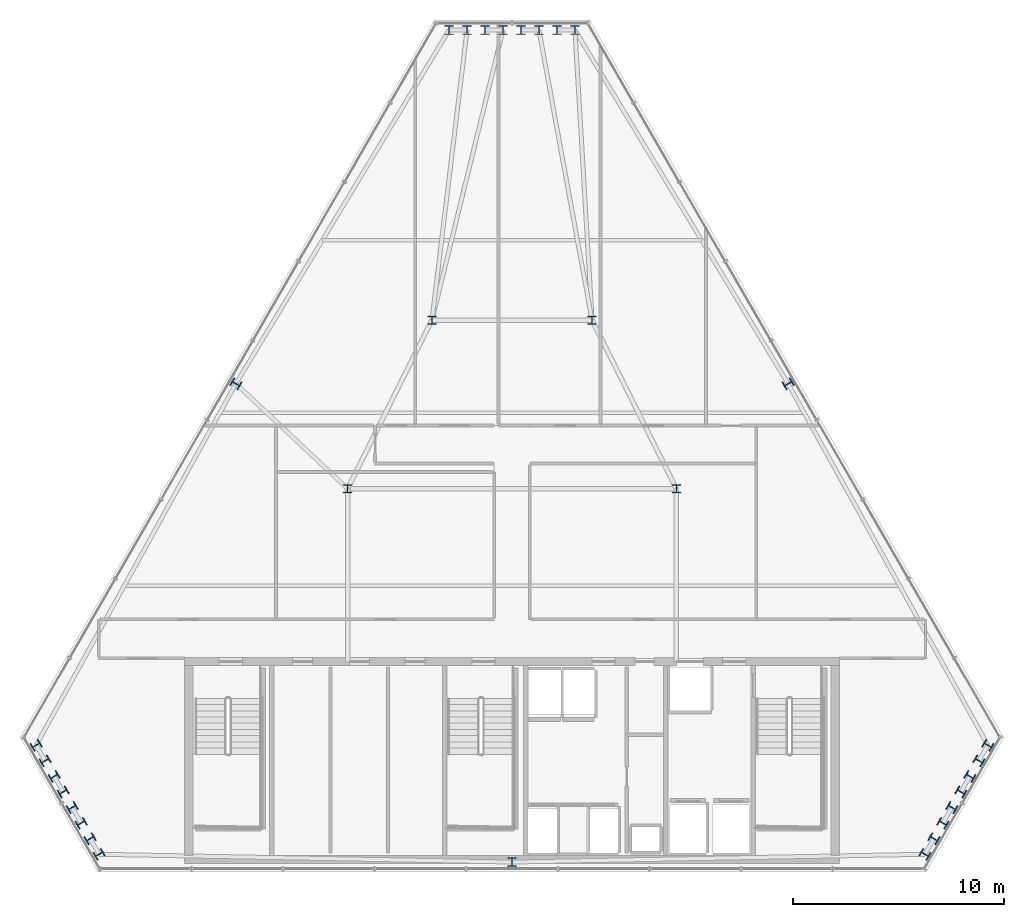
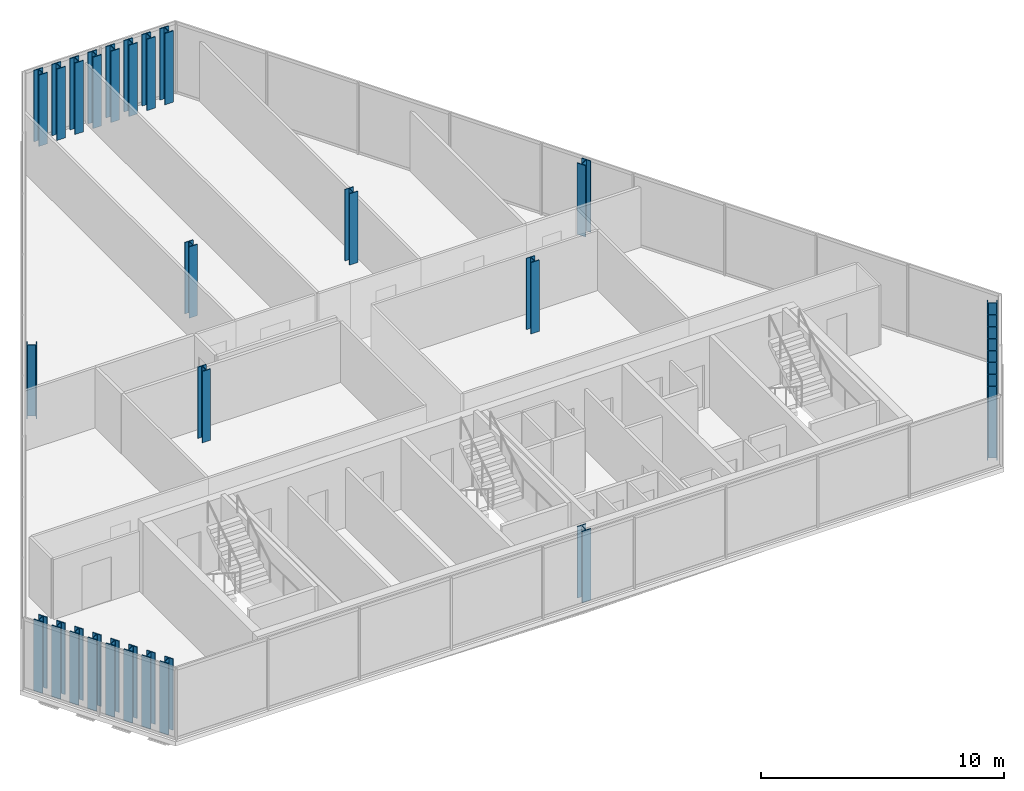
# One storey, part 1 of 29: 31 columns.
"""IFC4 building model written with IfcOpenShell, lengths in metres."""

from ifc_helpers import new_model, si_unit, direction, frame, origin, origin_2d, place, context, subcontext, project, spatial, i_section, extrude, material, material_profile, profile_set, type_object, element, save


model = new_model("IFC4")

# Units and contexts
model_context = context("Model", 3, precision=1e-05, world=origin(), true_north=direction((0.0, 1.0)))
body_context = subcontext(model_context, "Body", "Model", "MODEL_VIEW")
ifc_project = project(units=[si_unit("LENGTHUNIT", "METRE"), si_unit("AREAUNIT", "SQUARE_METRE"), si_unit("VOLUMEUNIT", "CUBIC_METRE"), si_unit("PLANEANGLEUNIT", "RADIAN"), si_unit("MASSUNIT", "GRAM", prefix="KILO")], contexts=[model_context])

# Site, building, storey
site_placement = place(None, origin())
site = spatial("IfcSite", under=ifc_project, at=site_placement, CompositionType="ELEMENT")
building_placement = place(site_placement, origin())
building = spatial("IfcBuilding", under=site, at=building_placement, Name="Ndaravel Arena Tower", CompositionType="ELEMENT")
storey_placement = place(building_placement, frame((0.0, 0.0, 233.199951171875)))
storey = spatial("IfcBuildingStorey", under=building, at=storey_placement, Name="L56", CompositionType="ELEMENT", Elevation=233.199951171875)

# Columns
ifc_material_1 = material(Name="Steel S355", Category="steel")
ifc_material_profile_1 = material_profile(ifc_material_1, i_section(OverallWidth=0.39892578125, OverallDepth=0.3935546875, WebThickness=0.022705078125, FlangeThickness=0.03662109375, FilletRadius=0.01513671875, at=origin_2d()), Name="UC 356x406x287")
ifc_profile_set_1 = profile_set([ifc_material_profile_1], Name="Steel S355")
column_type_1 = type_object("IfcColumnType", Name="COL-INT-UC287", PredefinedType="COLUMN", material=ifc_profile_set_1)
for number, where, z_axis, x_axis, name in (
    (1, (34.199951171875, 23.199951171875, 0.0), (0.0, 0.0, 1.0), (1.0, 0.0, 0.0), "L56 Interior Spine Column IC-01"),
    (2, (49.800048828125, 23.199951171875, 0.0), (0.0, 0.0, 1.0), (1.0, 0.0, 0.0), "L56 Interior Spine Column IC-02"),
    (3, (38.199951171875, 31.199951171875, 0.0), (0.0, 0.0, 1.0), (1.0, 0.0, 0.0), "L56 Interior Spine Column IC-03"),
    (4, (45.800048828125, 31.199951171875, 0.0), (0.0, 0.0, 1.0), (1.0, 0.0, 0.0), "L56 Interior Spine Column IC-04"),
):
    element("IfcColumn", number, at=place(storey_placement, frame(where, z_axis=z_axis, x_axis=x_axis)), inside=storey, type_object=column_type_1, Name=name, PredefinedType="COLUMN", context=body_context, shape_type="SweptSolid", body=[
        extrude(i_section(OverallWidth=0.39892578125, OverallDepth=0.3935546875, WebThickness=0.022705078125, FlangeThickness=0.03662109375, FilletRadius=0.01513671875, at=origin_2d()), origin(), (0.0, 0.0, 1.0), 3.580078125),
    ])
ifc_material_2 = material(Name="Steel S355", Category="steel")
ifc_material_profile_2 = material_profile(ifc_material_2, i_section(OverallWidth=0.412109375, OverallDepth=0.43505859375, WebThickness=0.035888671875, FlangeThickness=0.0439453125, FilletRadius=0.014892578125, at=origin_2d()), Name="HD 400x463")
ifc_profile_set_2 = profile_set([ifc_material_profile_2], Name="Steel S355")
column_type_2 = type_object("IfcColumnType", Name="COL-TUBE-HD463", PredefinedType="COLUMN", material=ifc_profile_set_2)
for number, where, z_axis, x_axis, name in (
    (5, (42.0, 5.47998046875, 0.0), (0.0, 0.0, 1.0), (1.0, 0.0, 0.0), "L56 Framed Tube Column TC-01"),
    (6, (61.597412109375, 5.849609375, 0.0), (0.0, 0.0, 1.0), (0.5, 0.866025403784, 0.0), "L56 Framed Tube Column TC-02"),
    (7, (62.0244140625, 6.589111328125, 0.0), (0.0, 0.0, 1.0), (0.5, 0.866025403784, 0.0), "L56 Framed Tube Column TC-03"),
    (8, (62.451171875, 7.328369140625, 0.0), (0.0, 0.0, 1.0), (0.5, 0.866025403784, 0.0), "L56 Framed Tube Column TC-04"),
    (9, (62.8779296875, 8.06787109375, 0.0), (0.0, 0.0, 1.0), (0.5, 0.866025403784, 0.0), "L56 Framed Tube Column TC-05"),
    (10, (63.3046875, 8.80712890625, 0.0), (0.0, 0.0, 1.0), (0.5, 0.866025403784, 0.0), "L56 Framed Tube Column TC-06"),
    (11, (63.731689453125, 9.54638671875, 0.0), (0.0, 0.0, 1.0), (0.5, 0.866025403784, 0.0), "L56 Framed Tube Column TC-07"),
    (12, (64.158447265625, 10.285888671875, 0.0), (0.0, 0.0, 1.0), (0.5, 0.866025403784, 0.0), "L56 Framed Tube Column TC-08"),
    (13, (64.58544921875, 11.025146484375, 0.0), (0.0, 0.0, 1.0), (0.5, 0.866025403784, 0.0), "L56 Framed Tube Column TC-09"),
    (14, (55.10693359375, 28.181884765625, 0.0), (0.0, 0.0, 1.0), (-0.5, 0.866025403784, 0.0), "L56 Framed Tube Column TC-10"),
    (15, (44.988037109375, 44.968994140625, 0.0), (0.0, 0.0, 1.0), (1.0, 0.0, 0.0), "L56 Framed Tube Column TC-11"),
    (16, (44.134521484375, 44.968994140625, 0.0), (0.0, 0.0, 1.0), (1.0, 0.0, 0.0), "L56 Framed Tube Column TC-12"),
    (17, (43.280517578125, 44.968994140625, 0.0), (0.0, 0.0, 1.0), (1.0, 0.0, 0.0), "L56 Framed Tube Column TC-13"),
    (18, (42.427001953125, 44.968994140625, 0.0), (0.0, 0.0, 1.0), (1.0, 0.0, 0.0), "L56 Framed Tube Column TC-14"),
    (19, (41.572998046875, 44.968994140625, 0.0), (0.0, 0.0, 1.0), (1.0, 0.0, 0.0), "L56 Framed Tube Column TC-15"),
    (20, (40.719482421875, 44.968994140625, 0.0), (0.0, 0.0, 1.0), (1.0, 0.0, 0.0), "L56 Framed Tube Column TC-16"),
    (21, (39.865478515625, 44.968994140625, 0.0), (0.0, 0.0, 1.0), (1.0, 0.0, 0.0), "L56 Framed Tube Column TC-17"),
    (22, (39.011962890625, 44.968994140625, 0.0), (0.0, 0.0, 1.0), (1.0, 0.0, 0.0), "L56 Framed Tube Column TC-18"),
    (23, (28.89306640625, 28.181884765625, 0.0), (0.0, 0.0, 1.0), (0.5, 0.866025403784, 0.0), "L56 Framed Tube Column TC-19"),
    (24, (19.41455078125, 11.025146484375, 0.0), (0.0, 0.0, 1.0), (-0.5, 0.866025403784, 0.0), "L56 Framed Tube Column TC-20"),
    (25, (19.841552734375, 10.285888671875, 0.0), (0.0, 0.0, 1.0), (-0.5, 0.866025403784, 0.0), "L56 Framed Tube Column TC-21"),
    (26, (20.268310546875, 9.54638671875, 0.0), (0.0, 0.0, 1.0), (-0.5, 0.866025403784, 0.0), "L56 Framed Tube Column TC-22"),
    (27, (20.6953125, 8.80712890625, 0.0), (0.0, 0.0, 1.0), (-0.5, 0.866025403784, 0.0), "L56 Framed Tube Column TC-23"),
    (28, (21.1220703125, 8.06787109375, 0.0), (0.0, 0.0, 1.0), (-0.5, 0.866025403784, 0.0), "L56 Framed Tube Column TC-24"),
    (29, (21.548828125, 7.328369140625, 0.0), (0.0, 0.0, 1.0), (-0.5, 0.866025403784, 0.0), "L56 Framed Tube Column TC-25"),
    (30, (21.9755859375, 6.589111328125, 0.0), (0.0, 0.0, 1.0), (-0.5, 0.866025403784, 0.0), "L56 Framed Tube Column TC-26"),
    (31, (22.402587890625, 5.849609375, 0.0), (0.0, 0.0, 1.0), (-0.5, 0.866025403784, 0.0), "L56 Framed Tube Column TC-27"),
):
    element("IfcColumn", number, at=place(storey_placement, frame(where, z_axis=z_axis, x_axis=x_axis)), inside=storey, type_object=column_type_2, Name=name, PredefinedType="COLUMN", context=body_context, shape_type="SweptSolid", body=[
        extrude(i_section(OverallWidth=0.412109375, OverallDepth=0.43505859375, WebThickness=0.035888671875, FlangeThickness=0.0439453125, FilletRadius=0.014892578125, at=origin_2d()), origin(), (0.0, 0.0, 1.0), 3.580078125),
    ])

save(model, "model.ifc")
